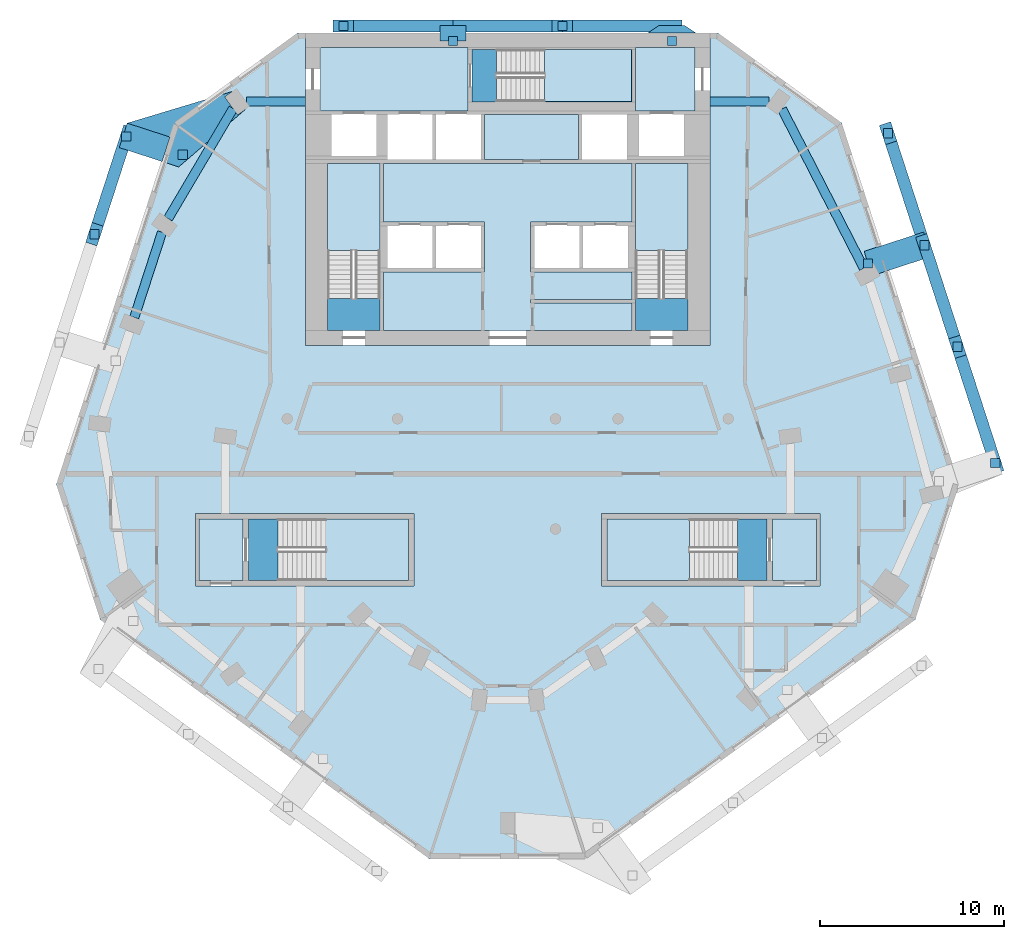
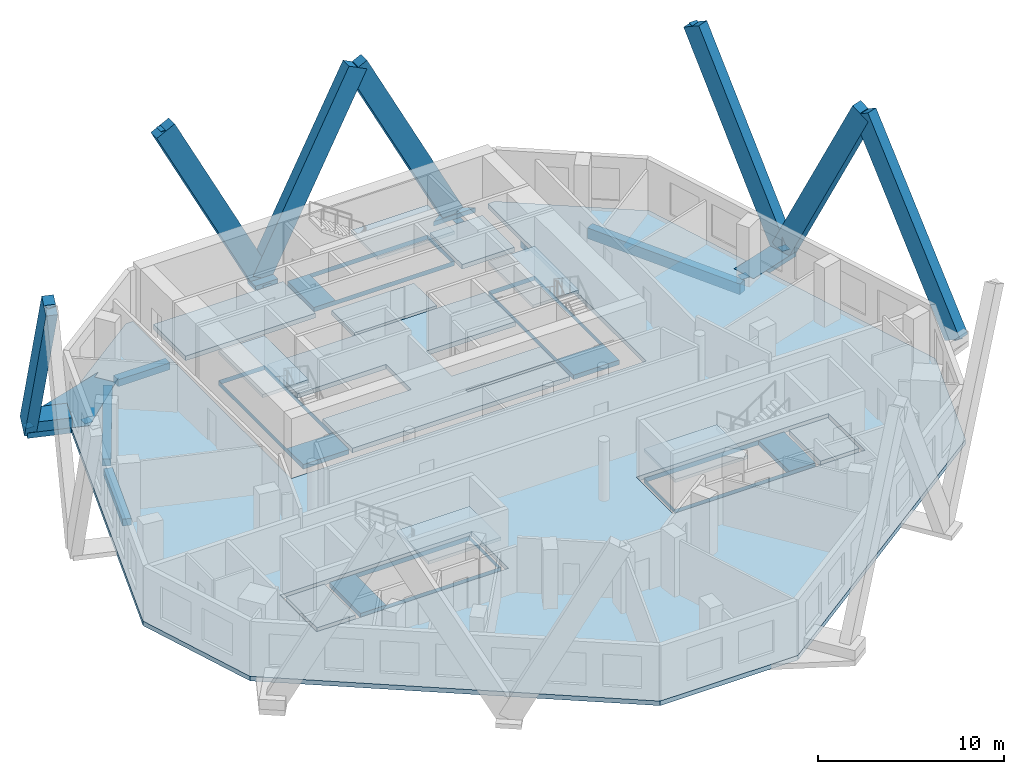
# One storey, part 2 of 10: 17 slabs, 12 discrete accessories, 12 members, 5 beams, 5 elements without a shape of their own.
"""IFC4 building model written with IfcOpenShell, lengths in metres."""

from ifc_helpers import new_model, si_unit, direction, frame, origin, origin_2d, place, context, subcontext, project, spatial, polyline, rectangle, outline, extrude, material, layer, layer_set, material_profile, profile_set, type_object, element, aggregate, save


model = new_model("IFC4")

# Units and contexts
model_context = context("Model", 3, precision=1e-05, world=origin(), true_north=direction((0.0, 1.0)))
body_context = subcontext(model_context, "Body", "Model", "MODEL_VIEW")
ifc_project = project(units=[si_unit("LENGTHUNIT", "METRE"), si_unit("AREAUNIT", "SQUARE_METRE"), si_unit("VOLUMEUNIT", "CUBIC_METRE"), si_unit("PLANEANGLEUNIT", "RADIAN"), si_unit("MASSUNIT", "GRAM", prefix="KILO")], contexts=[model_context])

# Site, building, storey
site_placement = place(None, origin())
site = spatial("IfcSite", under=ifc_project, at=site_placement, CompositionType="ELEMENT")
building_placement = place(site_placement, origin())
building = spatial("IfcBuilding", under=site, at=building_placement, Name="White Candle Pilgrim Tower", CompositionType="ELEMENT")
storey_placement = place(building_placement, frame((0.0, 0.0, 219.89990234375)))
storey = spatial("IfcBuildingStorey", under=building, at=storey_placement, Name="L51", CompositionType="ELEMENT", Elevation=219.89990234375)

# Member
ifc_material_1 = material(Name="Concrete C70/85, white", Category="concrete")
ifc_material_profile_1 = material_profile(ifc_material_1, rectangle(XDim=0.64990234375, YDim=1.25, at=origin_2d()), Name="RC-DG 650x1250")
ifc_profile_set_1 = profile_set([ifc_material_profile_1], Name="Concrete C70/85, white")
member_type_1 = type_object("IfcMemberType", Name="Exoskeleton diagonal RC-DG 650x1250 C70/85", PredefinedType="BRACE", material=ifc_profile_set_1)
member_1_placement = place(storey_placement, frame((78.93701171875, 88.375, 0.0), z_axis=(-0.453776473678, 0.0, 0.891115543539), x_axis=(0.0, -1.0, 0.0)))
member_1 = element("IfcMember", 1, at=member_1_placement, inside=storey, type_object=member_type_1, Name="Exoskeleton diagonal EX187", PredefinedType="BRACE", context=body_context, shape_type="SweptSolid", body=[
    extrude(rectangle(XDim=0.64990234375, YDim=1.25, at=origin_2d()), origin(), (0.0, 0.0, 1.0), 13.1298828125),
])

member_2_placement = place(storey_placement, frame((67.02099609375, 88.375, 0.0), z_axis=(0.453776473678, 0.0, 0.891115543539), x_axis=(0.0, 1.0, 0.0)))
element("IfcMember", 2, at=member_2_placement, inside=storey, type_object=member_type_1, Name="Exoskeleton diagonal EX188", PredefinedType="BRACE", context=body_context, shape_type="SweptSolid", body=[
    extrude(rectangle(XDim=0.64990234375, YDim=1.25, at=origin_2d()), origin(), (0.0, 0.0, 1.0), 13.1298828125),
])

member_3_placement = place(storey_placement, frame((67.02099609375, 88.375, 0.0), z_axis=(-0.453776473678, 0.0, 0.891115543539), x_axis=(0.0, -1.0, 0.0)))
member_3 = element("IfcMember", 3, at=member_3_placement, inside=storey, type_object=member_type_1, Name="Exoskeleton diagonal EX189", PredefinedType="BRACE", context=body_context, shape_type="SweptSolid", body=[
    extrude(rectangle(XDim=0.64990234375, YDim=1.25, at=origin_2d()), origin(), (0.0, 0.0, 1.0), 13.1298828125),
])

member_4_placement = place(storey_placement, frame((96.52685546875, 64.594970703125, 0.0), z_axis=(-0.152640224627, 0.469750155213, 0.869503164746), x_axis=(-0.95105107364, -0.309033744642, 0.0)))
member_4 = element("IfcMember", 4, at=member_4_placement, inside=storey, type_object=member_type_1, Name="Exoskeleton diagonal EX199", PredefinedType="BRACE", context=body_context, shape_type="SweptSolid", body=[
    extrude(rectangle(XDim=0.64990234375, YDim=1.25, at=origin_2d()), origin(), (0.0, 0.0, 1.0), 13.456298828125),
])

member_5_placement = place(storey_placement, frame((92.677001953125, 76.443115234375, 0.0), z_axis=(0.137469038126, -0.423077970925, 0.895604429463), x_axis=(0.951054750795, 0.309022427972, 0.0)))
member_5 = element("IfcMember", 5, at=member_5_placement, inside=storey, type_object=member_type_1, Name="Exoskeleton diagonal EX200", PredefinedType="BRACE", context=body_context, shape_type="SweptSolid", body=[
    extrude(rectangle(XDim=0.64990234375, YDim=1.25, at=origin_2d()), origin(), (0.0, 0.0, 1.0), 13.06396484375),
])

member_6_placement = place(storey_placement, frame((92.677001953125, 76.443115234375, 0.0), z_axis=(-0.14846724709, 0.456967290409, 0.877005343221), x_axis=(-0.95106289336, -0.308997367099, 0.0)))
member_6 = element("IfcMember", 6, at=member_6_placement, inside=storey, type_object=member_type_1, Name="Exoskeleton diagonal EX201", PredefinedType="BRACE", context=body_context, shape_type="SweptSolid", body=[
    extrude(rectangle(XDim=0.64990234375, YDim=1.25, at=origin_2d()), origin(), (0.0, 0.0, 1.0), 13.341064453125),
])

member_7_placement = place(storey_placement, frame((49.247802734375, 82.3671875, 0.0), z_axis=(-0.133349019553, -0.410362595463, 0.902120047017), x_axis=(0.951046891837, -0.309046613843, 0.0)))
member_7 = element("IfcMember", 7, at=member_7_placement, inside=storey, type_object=member_type_1, Name="Exoskeleton diagonal EX235", PredefinedType="BRACE", context=body_context, shape_type="SweptSolid", body=[
    extrude(rectangle(XDim=0.64990234375, YDim=1.25, at=origin_2d()), origin(), (0.0, 0.0, 1.0), 12.9697265625),
])

ifc_layer_1 = layer(ifc_material_1, 0.300048828125)
ifc_layer_set_1 = layer_set([ifc_layer_1], Name="Node tie strut 3400x1400x300 C70/85")
member_type_2 = type_object("IfcMemberType", Name="Node tie strut 3400x1400x300 C70/85", PredefinedType="STRUT", material=ifc_layer_set_1)
member_8_placement = place(storey_placement, frame((91.226806640625, 75.971923828125, -0.2998046875), z_axis=(0.0, 0.0, 1.0), x_axis=(-0.309016994375, 0.951056516295, 0.0)))
member_8 = element("IfcMember", 8, at=member_8_placement, inside=storey, type_object=member_type_2, Name="Node tie strut NC173", PredefinedType="STRUT", context=body_context, shape_type="SweptSolid", body=[
    extrude(rectangle(XDim=1.39990234375, YDim=3.39990234375, at=origin_2d()), origin(), (0.0, 0.0, 1.0), 0.300048828125),
])

member_9_placement = place(storey_placement, frame((0.0, 0.0, -0.349853515625)))
member_9 = element("IfcMember", 9, at=member_9_placement, inside=storey, type_object=member_type_2, Name="Node tie strut NC180", PredefinedType="STRUT", context=body_context, shape_type="SweptSolid", body=[
    extrude(outline(polyline([(52.0986328125, 80.704833984375), (55.77197265625, 83.875732421875), (55.30908203125, 83.53955078125), (54.603759765625, 84.51025390625), (55.01904296875, 84.81201171875), (49.297607421875, 83.087158203125), (48.864990234375, 81.755615234375), (52.0986328125, 80.704833984375)])), origin(), (0.0, 0.0, 1.0), 0.349853515625),
])

member_10_placement = place(storey_placement, origin())
element("IfcMember", 10, at=member_10_placement, inside=storey, type_object=member_type_2, Name="Node tie strut NC180", PredefinedType="STRUT", context=body_context, shape_type="SweptSolid", body=[
    extrude(outline(polyline([(51.195068359375, 80.99853515625), (51.627685546875, 82.330078125), (49.297607421875, 83.087158203125), (48.864990234375, 81.755615234375), (51.195068359375, 80.99853515625)])), origin(), (0.0, 0.0, 1.0), 0.650146484375),
])

ifc_layer_2 = layer(ifc_material_1, 0.300048828125)
ifc_layer_set_2 = layer_set([ifc_layer_2], Name="Node tie strut 850x1400x300 C70/85")
member_type_3 = type_object("IfcMemberType", Name="Node tie strut 850x1400x300 C70/85", PredefinedType="STRUT", material=ifc_layer_set_2)
member_11_placement = place(storey_placement, frame((0.0, 0.0, -0.2998046875)))
member_11 = element("IfcMember", 11, at=member_11_placement, inside=storey, type_object=member_type_3, Name="Node tie strut NC174", PredefinedType="STRUT", context=body_context, shape_type="SweptSolid", body=[
    extrude(outline(polyline([(77.636962890625, 88.0), (80.237060546875, 88.0), (79.636962890625, 88.39990234375), (78.237060546875, 88.39990234375), (77.636962890625, 88.0)])), origin(), (0.0, 0.0, 1.0), 0.2998046875),
])

member_12_placement = place(storey_placement, frame((67.02099609375, 87.97509765625, -0.2998046875), z_axis=(0.0, 0.0, 1.0), x_axis=(-1.0, 0.0, 0.0)))
member_12 = element("IfcMember", 12, at=member_12_placement, inside=storey, type_object=member_type_3, Name="Node tie strut NC175", PredefinedType="STRUT", context=body_context, shape_type="SweptSolid", body=[
    extrude(rectangle(XDim=1.39990234375, YDim=0.85009765625, at=origin_2d()), origin(), (0.0, 0.0, 1.0), 0.300048828125),
])

# Beams
ifc_material_2 = material(Name="Concrete C50/60", Category="concrete")
ifc_material_profile_2 = material_profile(ifc_material_2, rectangle(XDim=0.5, YDim=0.449951171875, at=origin_2d()), Name="RC-BM 500x450")
ifc_profile_set_2 = profile_set([ifc_material_profile_2], Name="Concrete C50/60")
beam_type_1 = type_object("IfcBeamType", Name="Spandrel beam RC-BM 500x450 C50/60", PredefinedType="BEAM", material=ifc_profile_set_2)
for number, where, z_axis, x_axis, name in (
    (13, (84.2255859375, 84.260009765625, -0.52490234375), (-1.0, 0.0, 0.0), (0.0, -1.0, 0.0), "L51 spandrel beam T10"),
    (14, (55.7744140625, 84.260009765625, -0.52490234375), (1.0, 0.0, 0.0), (0.0, 1.0, 0.0), "L51 spandrel beam T11"),
):
    element("IfcBeam", number, at=place(storey_placement, frame(where, z_axis=z_axis, x_axis=x_axis)), inside=storey, type_object=beam_type_1, Name=name, PredefinedType="BEAM", context=body_context, shape_type="SweptSolid", body=[
        extrude(rectangle(XDim=0.5, YDim=0.449951171875, at=origin_2d()), origin(), (0.0, 0.0, 1.0), 3.2255859375),
    ])
beam_1_placement = place(storey_placement, frame((55.058349609375, 83.884521484375, -0.52490234375), z_axis=(-0.508250169427, -0.861209478163, 0.0), x_axis=(0.861209478163, -0.508250169427, 0.0)))
element("IfcBeam", 15, at=beam_1_placement, inside=storey, type_object=beam_type_1, Name="L51 spandrel beam T12", PredefinedType="BEAM", context=body_context, shape_type="SweptSolid", body=[
    extrude(rectangle(XDim=0.5, YDim=0.449951171875, at=origin_2d()), origin(), (0.0, 0.0, 1.0), 6.95361328125),
])
beam_2_placement = place(storey_placement, frame((51.18994140625, 77.150146484375, -0.52490234375), z_axis=(-0.30935824251, -0.950945570362, 0.0), x_axis=(0.950945570362, -0.30935824251, 0.0)))
element("IfcBeam", 16, at=beam_2_placement, inside=storey, type_object=beam_type_1, Name="L51 spandrel beam T13", PredefinedType="BEAM", context=body_context, shape_type="SweptSolid", body=[
    extrude(rectangle(XDim=0.5, YDim=0.449951171875, at=origin_2d()), origin(), (0.0, 0.0, 1.0), 4.86767578125),
])
ifc_material_profile_3 = material_profile(ifc_material_2, rectangle(XDim=0.5, YDim=0.699951171875, at=origin_2d()), Name="RC-BM 500x700")
ifc_profile_set_3 = profile_set([ifc_material_profile_3], Name="Concrete C50/60")
beam_type_2 = type_object("IfcBeamType", Name="Spandrel beam RC-BM 500x700 C50/60", PredefinedType="BEAM", material=ifc_profile_set_3)
beam_3_placement = place(storey_placement, frame((89.377197265625, 75.196044921875, -0.64990234375), z_axis=(-0.457020130081, 0.889456351206, 0.0), x_axis=(-0.889456351206, -0.457020130081, 0.0)))
element("IfcBeam", 17, at=beam_3_placement, inside=storey, type_object=beam_type_2, Name="L51 spandrel beam T09", PredefinedType="BEAM", context=body_context, shape_type="SweptSolid", body=[
    extrude(rectangle(XDim=0.5, YDim=0.699951171875, at=origin_2d()), origin(), (0.0, 0.0, 1.0), 9.7421875),
])

# Slabs
ifc_material_3 = material(Name="Concrete C40/50", Category="concrete")
ifc_layer_3 = layer(ifc_material_3, 0.300048828125)
ifc_layer_set_3 = layer_set([ifc_layer_3], Name="Core floor slab 300 mm Concrete C40/50")
slab_type_1 = type_object("IfcSlabType", Name="Core floor slab 300 mm Concrete C40/50", PredefinedType="FLOOR", material=ifc_layer_set_3)
slab_1_placement = place(storey_placement, frame((0.0, 0.0, -0.2998046875)))
element("IfcSlab", 18, at=slab_1_placement, inside=storey, type_object=slab_type_1, Name="CF-L51-01", PredefinedType="FLOOR", context=body_context, shape_type="SweptSolid", body=[
    extrude(outline(polyline([(55.60009765625, 58.199951171875), (53.199951171875, 58.199951171875), (53.199951171875, 61.550048828125), (55.60009765625, 61.550048828125), (55.60009765625, 58.199951171875)])), origin(), (0.0, 0.0, 1.0), 0.2998046875),
])
slab_2_placement = place(storey_placement, frame((0.0, 0.0, -0.2998046875)))
element("IfcSlab", 19, at=slab_2_placement, inside=storey, type_object=slab_type_1, Name="CF-L51-02", PredefinedType="FLOOR", context=body_context, shape_type="SweptSolid", body=[
    extrude(outline(polyline([(55.89990234375, 58.199951171875), (55.89990234375, 61.550048828125), (64.60009765625, 61.550048828125), (64.60009765625, 58.199951171875), (55.89990234375, 58.199951171875)]), holes=[polyline([(57.501953125, 61.548095703125), (57.501953125, 58.201904296875), (64.597900390625, 58.201904296875), (64.597900390625, 61.548095703125), (57.501953125, 61.548095703125)])]), origin(), (0.0, 0.0, 1.0), 0.2998046875),
])
slab_3_placement = place(storey_placement, frame((0.0, 0.0, -0.2998046875)))
element("IfcSlab", 20, at=slab_3_placement, inside=storey, type_object=slab_type_1, Name="CF-L51-03", PredefinedType="FLOOR", context=body_context, shape_type="SweptSolid", body=[
    extrude(outline(polyline([(75.39990234375, 58.199951171875), (75.39990234375, 61.550048828125), (84.10009765625, 61.550048828125), (84.10009765625, 58.199951171875), (75.39990234375, 58.199951171875)]), holes=[polyline([(82.498046875, 58.201904296875), (82.498046875, 61.548095703125), (75.402099609375, 61.548095703125), (75.402099609375, 58.201904296875), (82.498046875, 58.201904296875)])]), origin(), (0.0, 0.0, 1.0), 0.2998046875),
])
slab_4_placement = place(storey_placement, frame((0.0, 0.0, -0.2998046875)))
element("IfcSlab", 21, at=slab_4_placement, inside=storey, type_object=slab_type_1, Name="CF-L51-04", PredefinedType="FLOOR", context=body_context, shape_type="SweptSolid", body=[
    extrude(outline(polyline([(86.800048828125, 58.199951171875), (84.39990234375, 58.199951171875), (84.39990234375, 61.550048828125), (86.800048828125, 61.550048828125), (86.800048828125, 58.199951171875)])), origin(), (0.0, 0.0, 1.0), 0.2998046875),
])
slab_5_placement = place(storey_placement, frame((0.0, 0.0, -0.2998046875)))
element("IfcSlab", 22, at=slab_5_placement, inside=storey, type_object=slab_type_1, Name="CF-L51-05", PredefinedType="FLOOR", context=body_context, shape_type="SweptSolid", body=[
    extrude(outline(polyline([(76.949951171875, 71.800048828125), (76.949951171875, 73.300048828125), (76.949951171875, 73.5), (76.949951171875, 75.0), (76.949951171875, 75.199951171875), (76.949951171875, 77.5), (76.949951171875, 77.699951171875), (76.949951171875, 80.89990234375), (79.800048828125, 80.89990234375), (79.800048828125, 71.800048828125), (76.949951171875, 71.800048828125)]), holes=[polyline([(76.951904296875, 73.552001953125), (79.798095703125, 73.552001953125), (79.798095703125, 80.89794921875), (76.951904296875, 80.89794921875), (76.951904296875, 73.552001953125)])]), origin(), (0.0, 0.0, 1.0), 0.2998046875),
])
slab_6_placement = place(storey_placement, frame((0.0, 0.0, -0.2998046875)))
element("IfcSlab", 23, at=slab_6_placement, inside=storey, type_object=slab_type_1, Name="CF-L51-06", PredefinedType="FLOOR", context=body_context, shape_type="SweptSolid", body=[
    extrude(outline(polyline([(63.25, 71.800048828125), (63.25, 75.0), (68.75, 75.0), (68.75, 75.199951171875), (68.75, 77.5), (68.75, 77.699951171875), (63.25, 77.699951171875), (63.25, 80.89990234375), (76.75, 80.89990234375), (76.75, 77.699951171875), (71.25, 77.699951171875), (71.25, 77.5), (71.25, 75.199951171875), (71.25, 75.0), (76.75, 75.0), (76.75, 73.5), (71.25, 73.5), (71.25, 73.300048828125), (76.75, 73.300048828125), (76.75, 71.800048828125), (63.25, 71.800048828125)])), origin(), (0.0, 0.0, 1.0), 0.2998046875),
])
slab_7_placement = place(storey_placement, frame((0.0, 0.0, -0.2998046875)))
element("IfcSlab", 24, at=slab_7_placement, inside=storey, type_object=slab_type_1, Name="CF-L51-07", PredefinedType="FLOOR", context=body_context, shape_type="SweptSolid", body=[
    extrude(outline(polyline([(60.199951171875, 71.800048828125), (60.199951171875, 80.89990234375), (63.050048828125, 80.89990234375), (63.050048828125, 77.699951171875), (63.050048828125, 77.5), (63.050048828125, 75.199951171875), (63.050048828125, 75.0), (63.050048828125, 71.800048828125), (60.199951171875, 71.800048828125)]), holes=[polyline([(60.201904296875, 73.552001953125), (63.048095703125, 73.552001953125), (63.048095703125, 80.89794921875), (60.201904296875, 80.89794921875), (60.201904296875, 73.552001953125)])]), origin(), (0.0, 0.0, 1.0), 0.2998046875),
])
slab_8_placement = place(storey_placement, frame((0.0, 0.0, -0.2998046875)))
element("IfcSlab", 25, at=slab_8_placement, inside=storey, type_object=slab_type_1, Name="CF-L51-08", PredefinedType="FLOOR", context=body_context, shape_type="SweptSolid", body=[
    extrude(outline(polyline([(59.800048828125, 87.199951171875), (67.85009765625, 87.199951171875), (67.85009765625, 87.10009765625), (67.85009765625, 84.25), (67.85009765625, 83.75), (59.800048828125, 83.75), (59.800048828125, 87.199951171875)])), origin(), (0.0, 0.0, 1.0), 0.2998046875),
])
slab_9_placement = place(storey_placement, frame((0.0, 0.0, -0.2998046875)))
element("IfcSlab", 26, at=slab_9_placement, inside=storey, type_object=slab_type_1, Name="CF-L51-09", PredefinedType="FLOOR", context=body_context, shape_type="SweptSolid", body=[
    extrude(outline(polyline([(80.199951171875, 87.199951171875), (80.199951171875, 83.75), (76.949951171875, 83.75), (76.949951171875, 84.25), (76.949951171875, 87.10009765625), (76.949951171875, 87.199951171875), (80.199951171875, 87.199951171875)])), origin(), (0.0, 0.0, 1.0), 0.2998046875),
])
slab_10_placement = place(storey_placement, frame((0.0, 0.0, -0.2998046875)))
element("IfcSlab", 27, at=slab_10_placement, inside=storey, type_object=slab_type_1, Name="CF-L51-10", PredefinedType="FLOOR", context=body_context, shape_type="SweptSolid", body=[
    extrude(outline(polyline([(68.050048828125, 87.10009765625), (76.75, 87.10009765625), (76.75, 84.25), (68.050048828125, 84.25), (68.050048828125, 87.10009765625)]), holes=[polyline([(69.402099609375, 87.097900390625), (69.402099609375, 84.251953125), (76.748046875, 84.251953125), (76.748046875, 87.097900390625), (69.402099609375, 87.097900390625)])]), origin(), (0.0, 0.0, 1.0), 0.2998046875),
])
slab_11_placement = place(storey_placement, frame((0.0, 0.0, -0.2998046875)))
element("IfcSlab", 28, at=slab_11_placement, inside=storey, type_object=slab_type_1, Name="CF-L51-11", PredefinedType="FLOOR", context=body_context, shape_type="SweptSolid", body=[
    extrude(outline(polyline([(68.75, 83.550048828125), (73.85009765625, 83.550048828125), (73.85009765625, 81.10009765625), (68.75, 81.10009765625), (68.75, 83.550048828125)])), origin(), (0.0, 0.0, 1.0), 0.2998046875),
])
ifc_layer_4 = layer(ifc_material_3, 0.300048828125)
ifc_layer_set_4 = layer_set([ifc_layer_4], Name="Floor slab 300 REI 120")
slab_type_2 = type_object("IfcSlabType", Name="Floor slab 300 REI 120", PredefinedType="FLOOR", material=ifc_layer_set_4)
slab_12_placement = place(storey_placement, frame((0.0, 0.0, -0.2998046875)))
element("IfcSlab", 29, at=slab_12_placement, inside=storey, type_object=slab_type_2, Name="L51 floor slab", PredefinedType="FLOOR", context=body_context, shape_type="SweptSolid", body=[
    extrude(outline(polyline([(65.729736328125, 43.06201171875), (74.270263671875, 43.06201171875), (92.1728515625, 56.06884765625), (94.565185546875, 63.431884765625), (88.172607421875, 83.106201171875), (81.43701171875, 88.0), (81.0, 88.0), (81.0, 71.0), (59.0, 71.0), (59.0, 88.0), (58.56298828125, 88.0), (51.827392578125, 83.106201171875), (45.434814453125, 63.431884765625), (47.8271484375, 56.06884765625), (65.729736328125, 43.06201171875)]), holes=[polyline([(53.0, 57.89990234375), (53.0, 61.85009765625), (64.89990234375, 61.85009765625), (64.89990234375, 57.89990234375), (53.0, 57.89990234375)]), polyline([(75.10009765625, 57.89990234375), (75.10009765625, 61.85009765625), (87.0, 61.85009765625), (87.0, 57.89990234375), (75.10009765625, 57.89990234375)])]), origin(), (0.0, 0.0, 1.0), 0.2998046875),
])

# Stair, slab
stair_type_1 = type_object("IfcStairType", Name="Exit stair 1 flight width 1350 mm", PredefinedType="HALF_TURN_STAIR", material=ifc_material_3)
stair_1_placement = place(storey_placement, origin())
stair_1 = element("IfcStair", 30, at=stair_1_placement, inside=storey, type_object=stair_type_1, Name="L51 stair 1", PredefinedType="NOTDEFINED")
ifc_layer_5 = layer(ifc_material_3, 0.199951171875)
ifc_layer_set_5 = layer_set([ifc_layer_5], Name="Stair landing Concrete C40/50")
slab_type_3 = type_object("IfcSlabType", Name="Stair landing Concrete C40/50", PredefinedType="LANDING", material=ifc_layer_set_5)
slab_13_placement = place(storey_placement, frame((0.0, 0.0, 1.75)))
slab_13 = element("IfcSlab", 31, at=slab_13_placement, type_object=slab_type_3, Name="ST1 landing 1", PredefinedType="LANDING", context=body_context, shape_type="SweptSolid", body=[
    extrude(outline(polyline([(63.052001953125, 76.14794921875), (60.197998046875, 76.14794921875), (60.197998046875, 80.902099609375), (63.052001953125, 80.902099609375), (63.052001953125, 76.14794921875)])), origin(), (0.0, 0.0, 1.0), 0.2001953125),
])
aggregate(stair_1, [slab_13])

stair_type_2 = type_object("IfcStairType", Name="Exit stair 2 flight width 1350 mm", PredefinedType="HALF_TURN_STAIR", material=ifc_material_3)
stair_2_placement = place(storey_placement, origin())
stair_2 = element("IfcStair", 32, at=stair_2_placement, inside=storey, type_object=stair_type_2, Name="L51 stair 2", PredefinedType="NOTDEFINED")
slab_14_placement = place(storey_placement, frame((0.0, 0.0, 1.75)))
slab_14 = element("IfcSlab", 33, at=slab_14_placement, type_object=slab_type_3, Name="ST2 landing 1", PredefinedType="LANDING", context=body_context, shape_type="SweptSolid", body=[
    extrude(outline(polyline([(79.802001953125, 76.14794921875), (76.947998046875, 76.14794921875), (76.947998046875, 80.902099609375), (79.802001953125, 80.902099609375), (79.802001953125, 76.14794921875)])), origin(), (0.0, 0.0, 1.0), 0.2001953125),
])
aggregate(stair_2, [slab_14])

stair_type_3 = type_object("IfcStairType", Name="Exit stair 3 flight width 1350 mm", PredefinedType="HALF_TURN_STAIR", material=ifc_material_3)
stair_3_placement = place(storey_placement, origin())
stair_3 = element("IfcStair", 34, at=stair_3_placement, inside=storey, type_object=stair_type_3, Name="L51 stair 3", PredefinedType="NOTDEFINED")
slab_15_placement = place(storey_placement, frame((0.0, 0.0, 1.75)))
slab_15 = element("IfcSlab", 35, at=slab_15_placement, type_object=slab_type_3, Name="ST3 landing 1", PredefinedType="LANDING", context=body_context, shape_type="SweptSolid", body=[
    extrude(outline(polyline([(71.998046875, 84.248046875), (71.998046875, 87.10205078125), (76.751953125, 87.10205078125), (76.751953125, 84.248046875), (71.998046875, 84.248046875)])), origin(), (0.0, 0.0, 1.0), 0.2001953125),
])
aggregate(stair_3, [slab_15])

stair_type_4 = type_object("IfcStairType", Name="Exit stair 4 flight width 1600 mm", PredefinedType="HALF_TURN_STAIR", material=ifc_material_3)
stair_4_placement = place(storey_placement, origin())
stair_4 = element("IfcStair", 36, at=stair_4_placement, inside=storey, type_object=stair_type_4, Name="L51 stair 4", PredefinedType="NOTDEFINED")
slab_16_placement = place(storey_placement, frame((0.0, 0.0, 1.75)))
slab_16 = element("IfcSlab", 37, at=slab_16_placement, type_object=slab_type_3, Name="ST4 landing 1", PredefinedType="LANDING", context=body_context, shape_type="SweptSolid", body=[
    extrude(outline(polyline([(79.902099609375, 61.552001953125), (79.902099609375, 58.197998046875), (75.39794921875, 58.197998046875), (75.39794921875, 61.552001953125), (79.902099609375, 61.552001953125)])), origin(), (0.0, 0.0, 1.0), 0.2001953125),
])
aggregate(stair_4, [slab_16])

stair_type_5 = type_object("IfcStairType", Name="Exit stair 5 flight width 1600 mm", PredefinedType="HALF_TURN_STAIR", material=ifc_material_3)
stair_5_placement = place(storey_placement, origin())
stair_5 = element("IfcStair", 38, at=stair_5_placement, inside=storey, type_object=stair_type_5, Name="L51 stair 5", PredefinedType="NOTDEFINED")
slab_17_placement = place(storey_placement, frame((0.0, 0.0, 1.75)))
slab_17 = element("IfcSlab", 39, at=slab_17_placement, type_object=slab_type_3, Name="ST5 landing 1", PredefinedType="LANDING", context=body_context, shape_type="SweptSolid", body=[
    extrude(outline(polyline([(60.097900390625, 58.197998046875), (60.097900390625, 61.552001953125), (64.60205078125, 61.552001953125), (64.60205078125, 58.197998046875), (60.097900390625, 58.197998046875)])), origin(), (0.0, 0.0, 1.0), 0.2001953125),
])
aggregate(stair_5, [slab_17])

# Discrete accessory
ifc_material_4 = material(Name="Steel S355", Category="steel")
ifc_layer_6 = layer(ifc_material_4, 0.02490234375)
ifc_layer_set_6 = layer_set([ifc_layer_6], Name="Gusset plate 500x500x25 S355")
discrete_accessory_type = type_object("IfcDiscreteAccessoryType", Name="Gusset plate 500x500x25 S355", PredefinedType="BRACKET", material=ifc_layer_set_6)
placement = place(building_placement, frame((0.0, 0.0, 231.60009765625)))
discrete_accessory_1_placement = place(placement, frame((72.97900390625, 88.375, -0.012451171875), z_axis=(0.0, 0.0, 1.0), x_axis=(1.0, 0.0, 0.0)))
discrete_accessory_1 = element("IfcDiscreteAccessory", 40, at=discrete_accessory_1_placement, type_object=discrete_accessory_type, Name="Gusset plate 0213", PredefinedType="BRACKET", context=body_context, shape_type="SweptSolid", body=[
    extrude(rectangle(XDim=0.5, YDim=0.5, at=origin_2d()), origin(), (0.0, 0.0, 1.0), 0.02490234375),
])

aggregate(member_1, [discrete_accessory_1])

discrete_accessory_2_placement = place(placement, frame((61.06298828125, 88.375, -0.012451171875), z_axis=(0.0, 0.0, 1.0), x_axis=(1.0, 0.0, 0.0)))
discrete_accessory_2 = element("IfcDiscreteAccessory", 41, at=discrete_accessory_2_placement, type_object=discrete_accessory_type, Name="Gusset plate 0214", PredefinedType="BRACKET", context=body_context, shape_type="SweptSolid", body=[
    extrude(rectangle(XDim=0.5, YDim=0.5, at=origin_2d()), origin(), (0.0, 0.0, 1.0), 0.02490234375),
])

aggregate(member_3, [discrete_accessory_2])

discrete_accessory_3_placement = place(storey_placement, frame((96.52685546875, 64.594970703125, -0.012451171875), z_axis=(0.0, 0.0, 1.0), x_axis=(1.0, 0.0, 0.0)))
discrete_accessory_3 = element("IfcDiscreteAccessory", 42, at=discrete_accessory_3_placement, type_object=discrete_accessory_type, Name="Gusset plate 0224", PredefinedType="BRACKET", context=body_context, shape_type="SweptSolid", body=[
    extrude(rectangle(XDim=0.5, YDim=0.5, at=origin_2d()), origin(), (0.0, 0.0, 1.0), 0.02490234375),
])

discrete_accessory_4_placement = place(placement, frame((94.472900390625, 70.916015625, -0.012451171875), z_axis=(0.0, 0.0, 1.0), x_axis=(1.0, 0.0, 0.0)))
discrete_accessory_4 = element("IfcDiscreteAccessory", 43, at=discrete_accessory_4_placement, type_object=discrete_accessory_type, Name="Gusset plate 0225", PredefinedType="BRACKET", context=body_context, shape_type="SweptSolid", body=[
    extrude(rectangle(XDim=0.5, YDim=0.5, at=origin_2d()), origin(), (0.0, 0.0, 1.0), 0.02490234375),
])

aggregate(member_4, [discrete_accessory_3, discrete_accessory_4])

discrete_accessory_5_placement = place(storey_placement, frame((92.677001953125, 76.443115234375, -0.012451171875), z_axis=(0.0, 0.0, 1.0), x_axis=(1.0, 0.0, 0.0)))
discrete_accessory_5 = element("IfcDiscreteAccessory", 44, at=discrete_accessory_5_placement, type_object=discrete_accessory_type, Name="Gusset plate 0226", PredefinedType="BRACKET", context=body_context, shape_type="SweptSolid", body=[
    extrude(rectangle(XDim=0.5, YDim=0.5, at=origin_2d()), origin(), (0.0, 0.0, 1.0), 0.02490234375),
])

aggregate(member_5, [discrete_accessory_5])

discrete_accessory_6_placement = place(placement, frame((90.6962890625, 82.53955078125, -0.012451171875), z_axis=(0.0, 0.0, 1.0), x_axis=(1.0, 0.0, 0.0)))
discrete_accessory_6 = element("IfcDiscreteAccessory", 45, at=discrete_accessory_6_placement, type_object=discrete_accessory_type, Name="Gusset plate 0227", PredefinedType="BRACKET", context=body_context, shape_type="SweptSolid", body=[
    extrude(rectangle(XDim=0.5, YDim=0.5, at=origin_2d()), origin(), (0.0, 0.0, 1.0), 0.02490234375),
])

aggregate(member_6, [discrete_accessory_6])

discrete_accessory_7_placement = place(storey_placement, frame((49.247802734375, 82.3671875, -0.012451171875), z_axis=(0.0, 0.0, 1.0), x_axis=(1.0, 0.0, 0.0)))
discrete_accessory_7 = element("IfcDiscreteAccessory", 46, at=discrete_accessory_7_placement, type_object=discrete_accessory_type, Name="Gusset plate 0273", PredefinedType="BRACKET", context=body_context, shape_type="SweptSolid", body=[
    extrude(rectangle(XDim=0.5, YDim=0.5, at=origin_2d()), origin(), (0.0, 0.0, 1.0), 0.02490234375),
])

discrete_accessory_8_placement = place(placement, frame((47.518310546875, 77.044921875, -0.012451171875), z_axis=(0.0, 0.0, 1.0), x_axis=(1.0, 0.0, 0.0)))
discrete_accessory_8 = element("IfcDiscreteAccessory", 47, at=discrete_accessory_8_placement, type_object=discrete_accessory_type, Name="Gusset plate 0274", PredefinedType="BRACKET", context=body_context, shape_type="SweptSolid", body=[
    extrude(rectangle(XDim=0.5, YDim=0.5, at=origin_2d()), origin(), (0.0, 0.0, 1.0), 0.02490234375),
])

aggregate(member_7, [discrete_accessory_7, discrete_accessory_8])

discrete_accessory_9_placement = place(storey_placement, frame((89.610107421875, 75.446533203125, -0.162353515625), z_axis=(0.0, 0.0, 1.0), x_axis=(1.0, 0.0, 0.0)))
discrete_accessory_9 = element("IfcDiscreteAccessory", 48, at=discrete_accessory_9_placement, type_object=discrete_accessory_type, Name="Gusset plate 0554", PredefinedType="BRACKET", context=body_context, shape_type="SweptSolid", body=[
    extrude(rectangle(XDim=0.5, YDim=0.5, at=origin_2d()), origin(), (0.0, 0.0, 1.0), 0.02490234375),
])

aggregate(member_8, [discrete_accessory_9])

discrete_accessory_10_placement = place(storey_placement, frame((78.93701171875, 87.550048828125, -0.162353515625), z_axis=(0.0, 0.0, 1.0), x_axis=(1.0, 0.0, 0.0)))
discrete_accessory_10 = element("IfcDiscreteAccessory", 49, at=discrete_accessory_10_placement, type_object=discrete_accessory_type, Name="Gusset plate 0555", PredefinedType="BRACKET", context=body_context, shape_type="SweptSolid", body=[
    extrude(rectangle(XDim=0.5, YDim=0.5, at=origin_2d()), origin(), (0.0, 0.0, 1.0), 0.02490234375),
])

aggregate(member_11, [discrete_accessory_10])

discrete_accessory_11_placement = place(storey_placement, frame((67.02099609375, 87.550048828125, -0.162353515625), z_axis=(0.0, 0.0, 1.0), x_axis=(1.0, 0.0, 0.0)))
discrete_accessory_11 = element("IfcDiscreteAccessory", 50, at=discrete_accessory_11_placement, type_object=discrete_accessory_type, Name="Gusset plate 0556", PredefinedType="BRACKET", context=body_context, shape_type="SweptSolid", body=[
    extrude(rectangle(XDim=0.5, YDim=0.5, at=origin_2d()), origin(), (0.0, 0.0, 1.0), 0.02490234375),
])

aggregate(member_12, [discrete_accessory_11])

discrete_accessory_12_placement = place(storey_placement, frame((52.31494140625, 81.37060546875, -0.162353515625), z_axis=(0.0, 0.0, 1.0), x_axis=(1.0, 0.0, 0.0)))
discrete_accessory_12 = element("IfcDiscreteAccessory", 51, at=discrete_accessory_12_placement, type_object=discrete_accessory_type, Name="Gusset plate 0561", PredefinedType="BRACKET", context=body_context, shape_type="SweptSolid", body=[
    extrude(rectangle(XDim=0.5, YDim=0.5, at=origin_2d()), origin(), (0.0, 0.0, 1.0), 0.02490234375),
])

aggregate(member_9, [discrete_accessory_12])

save(model, "model.ifc")
